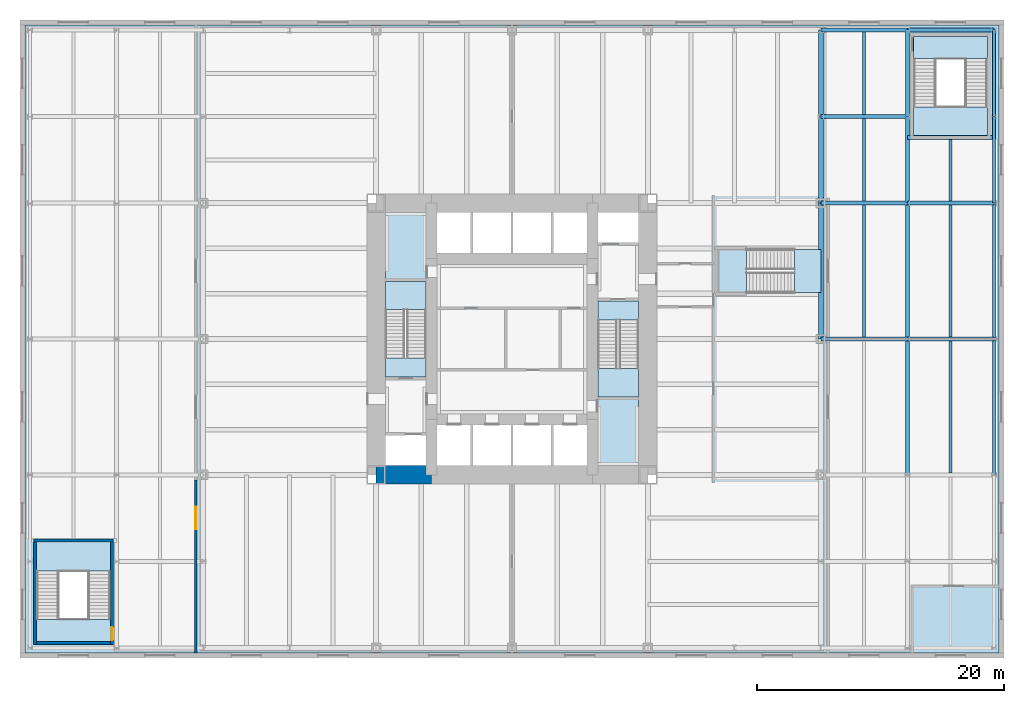
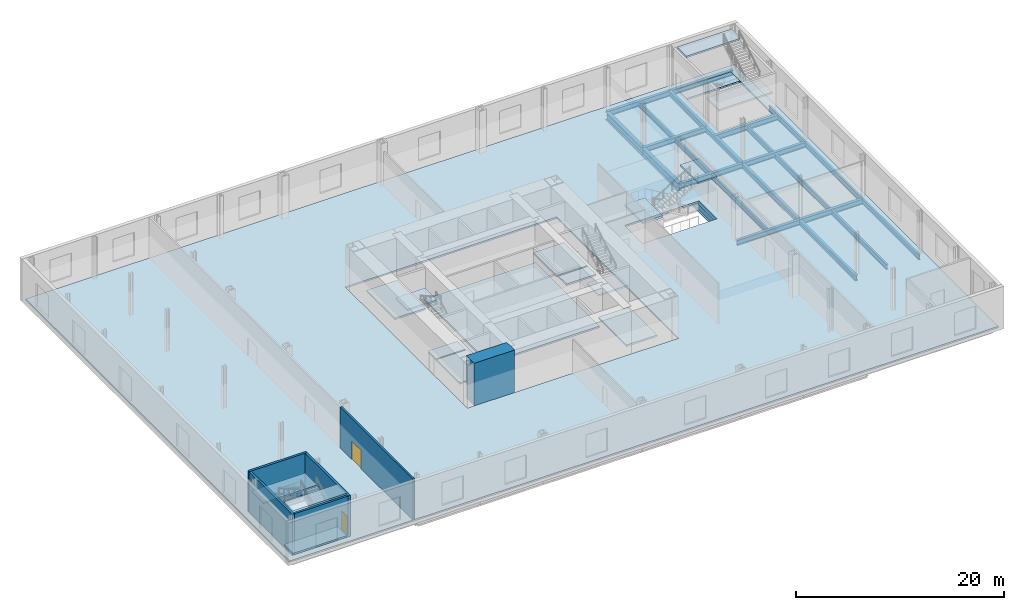
# One storey, part 6 of 13: 25 beams, 18 slabs, 6 walls, 2 doors, 2 openings, 5 elements without a shape of their own.
"""IFC4 building model written with IfcOpenShell, lengths in metres."""

import ifcopenshell
import ifcopenshell.guid

model = None  # the IFC model being written
_history = None  # IfcOwnerHistory: only IFC2X3 demands one
_inside = {}  # id of a spatial element -> (the spatial element, [elements in it])
_under = {}  # id of a project, library or spatial element -> (it, [spatial elements below it])
_declared = {}  # id of a project -> (the project, [libraries it declares])
_typed = {}  # id of a type object -> (the type object, [elements of that type])
_made_of = {}  # id of a material, layer set ... -> (it, [elements and type objects made of it])


def new_model(schema):
    """Start an empty IFC model of exactly this schema.

    Asked for "IFC4X3", IfcOpenShell would pick the latest addendum, in which some entities
    have other attributes; the version numbers below select the first issue.
    IFC2X3 requires an IfcOwnerHistory on every rooted entity: one is made here for all.
    """
    global model, _history
    if schema == "IFC4X3":
        model = ifcopenshell.file(schema_version=(4, 3, 0, 0))
    else:
        model = ifcopenshell.file(schema=schema)
    _inside.clear()
    _under.clear()
    _declared.clear()
    _typed.clear()
    _made_of.clear()
    _history = None
    if model.schema == "IFC2X3":
        org = make("IfcOrganization", Name="unknown")
        user = make(
            "IfcPersonAndOrganization",
            ThePerson=make("IfcPerson", FamilyName="unknown"),
            TheOrganization=org,
        )
        app = make(
            "IfcApplication",
            ApplicationDeveloper=org,
            Version="unknown",
            ApplicationFullName="unknown",
            ApplicationIdentifier="unknown",
        )
        _history = make(
            "IfcOwnerHistory",
            OwningUser=user,
            OwningApplication=app,
            ChangeAction="ADDED",
            CreationDate=0,
        )
    return model


def make(cls, **values):
    """One entity of the class cls with the attributes given. An attribute that is None is left unset."""
    return model.create_entity(
        cls, **{name: value for name, value in values.items() if value is not None}
    )


def rooted(cls, **values):
    """An entity with a GlobalId (a new one), such as an element, a storey or a relation."""
    return make(cls, GlobalId=ifcopenshell.guid.new(), OwnerHistory=_history, **values)


def si_unit(unit_type, name, prefix=None):
    """IfcSIUnit, for example si_unit("LENGTHUNIT", "METRE", prefix="MILLI")."""
    return make("IfcSIUnit", UnitType=unit_type, Prefix=prefix, Name=name)


def assignment(units):
    """IfcUnitAssignment: the units of a project."""
    return None if units is None else make("IfcUnitAssignment", Units=units)


def point(xyz):
    """IfcCartesianPoint."""
    return None if xyz is None else make("IfcCartesianPoint", Coordinates=xyz)


def direction(xyz):
    """IfcDirection."""
    return None if xyz is None else make("IfcDirection", DirectionRatios=xyz)


def frame(location, z_axis=None, x_axis=None):
    """IfcAxis2Placement3D, a coordinate frame: its origin and axes. An axis left out is left unset."""
    return make(
        "IfcAxis2Placement3D",
        Location=point(location),
        Axis=direction(z_axis),
        RefDirection=direction(x_axis),
    )


def frame_2d(location, x_axis=None):
    """IfcAxis2Placement2D, a coordinate frame in the plane: its origin and x axis."""
    return make(
        "IfcAxis2Placement2D", Location=point(location), RefDirection=direction(x_axis)
    )


def origin():
    """The frame at (0, 0, 0) with its axes left unset."""
    return frame((0.0, 0.0, 0.0))


def origin_2d():
    """The frame at (0, 0) in the plane with its x axis left unset."""
    return frame_2d((0.0, 0.0))


def place(relative_to, where):
    """IfcLocalPlacement: puts the frame where relative to a parent placement (None: the world)."""
    return make(
        "IfcLocalPlacement", PlacementRelTo=relative_to, RelativePlacement=where
    )


def context(
    kind, dimensions, precision=None, world=None, true_north=None, identifier=None
):
    """IfcGeometricRepresentationContext, for example the 3D "Model" context."""
    return make(
        "IfcGeometricRepresentationContext",
        ContextIdentifier=identifier,
        ContextType=kind,
        CoordinateSpaceDimension=dimensions,
        Precision=precision,
        WorldCoordinateSystem=world,
        TrueNorth=true_north,
    )


def subcontext(parent, identifier, kind, view, scale=None):
    """IfcGeometricRepresentationSubContext, for example "Body" below "Model"."""
    return make(
        "IfcGeometricRepresentationSubContext",
        ContextIdentifier=identifier,
        ContextType=kind,
        ParentContext=parent,
        TargetScale=scale,
        TargetView=view,
    )


def project(units=None, contexts=None):
    """IfcProject with its units and contexts."""
    return rooted(
        "IfcProject",
        Name="project",
        RepresentationContexts=contexts,
        UnitsInContext=assignment(units),
    )


def spatial(cls, under=None, at=None, **own):
    """A site, building, storey or space (cls), placed at a placement, below another one or the project."""
    s = rooted(cls, ObjectPlacement=at, **own)
    if under is not None:
        _under.setdefault(under.id(), (under, []))[1].append(s)
    return s


def polyline(points):
    """IfcPolyline through the points."""
    return make("IfcPolyline", Points=[point(p) for p in points])


def profile(cls, at=None, kind="AREA", **sizes):
    """A parametric profile (cls). Its sizes go by their IFC names, for example OverallWidth=200.0."""
    return make(cls, ProfileType=kind, Position=at, **sizes)


def rectangle(**sizes):
    """IfcRectangleProfileDef."""
    return profile("IfcRectangleProfileDef", **sizes)


def i_section(**sizes):
    """IfcIShapeProfileDef."""
    return profile("IfcIShapeProfileDef", **sizes)


def outline(outer, holes=None, kind="AREA"):
    """IfcArbitraryClosedProfileDef: a profile drawn as a closed curve; with holes, ...WithVoids."""
    if holes is None:
        return make("IfcArbitraryClosedProfileDef", ProfileType=kind, OuterCurve=outer)
    return make(
        "IfcArbitraryProfileDefWithVoids",
        ProfileType=kind,
        OuterCurve=outer,
        InnerCurves=holes,
    )


def extrude(swept, where, along, depth):
    """IfcExtrudedAreaSolid: the profile swept, set in the frame where, extruded along a direction by depth."""
    return make(
        "IfcExtrudedAreaSolid",
        SweptArea=swept,
        Position=where,
        ExtrudedDirection=direction(along),
        Depth=depth,
    )


def shape(context_of_items, identifier, shape_type, items):
    """IfcShapeRepresentation: the items that make up one representation, for example the "Body"."""
    return make(
        "IfcShapeRepresentation",
        ContextOfItems=context_of_items,
        RepresentationIdentifier=identifier,
        RepresentationType=shape_type,
        Items=items,
    )


def material(Name=None, Category=None):
    """IfcMaterial."""
    return make("IfcMaterial", Name=Name, Category=Category)


def layer(
    of_material, thickness, ventilated=None, Name=None, Category=None, Priority=None
):
    """IfcMaterialLayer: one layer of a wall or slab, of a material (None: an air gap)."""
    return make(
        "IfcMaterialLayer",
        Material=of_material,
        LayerThickness=thickness,
        IsVentilated=ventilated,
        Name=Name,
        Category=Category,
        Priority=Priority,
    )


def layer_set(layers, Name=None):
    """IfcMaterialLayerSet."""
    return make("IfcMaterialLayerSet", MaterialLayers=layers, LayerSetName=Name)


def material_profile(
    of_material, cross_section, Name=None, Category=None, Priority=None
):
    """IfcMaterialProfile: a cross section and its material."""
    return make(
        "IfcMaterialProfile",
        Name=Name,
        Material=of_material,
        Profile=cross_section,
        Priority=Priority,
        Category=Category,
    )


def profile_set(profiles, Name=None, composite=None):
    """IfcMaterialProfileSet."""
    return make(
        "IfcMaterialProfileSet",
        Name=Name,
        MaterialProfiles=profiles,
        CompositeProfile=composite,
    )


def made_of(thing, what):
    """Note that an element or type object is made of a material, layer set ...; save() writes the relation."""
    if what is not None:
        _made_of.setdefault(what.id(), (what, []))[1].append(thing)
    return thing


def type_object(cls, material=None, **own):
    """A type object (cls), such as IfcWallType, which elements share."""
    return made_of(rooted(cls, **own), material)


def element(
    cls,
    number,
    at=None,
    inside=None,
    cuts=None,
    type_object=None,
    material=None,
    context=None,
    identifier="Body",
    shape_type=None,
    held_by="IfcProductDefinitionShape",
    body=None,
    shapes=None,
    **own,
):
    """One element of the class cls, such as IfcWall. Its Tag is "e" and its number.

    at: its placement. inside: the storey or other place that contains it. cuts: it is an
    opening in that element (IfcRelVoidsElement). A single representation is given by context,
    identifier, shape_type and body (its items); several are given by shapes. held_by: the class
    of the entity that holds the representations. save() writes the other relations.
    """
    e = rooted(cls, Tag="e%d" % number, ObjectPlacement=at, **own)
    if body is not None:
        shapes = [shape(context, identifier, shape_type, body)]
    if shapes is not None:
        e.Representation = make(held_by, Representations=shapes)
    if inside is not None:
        _inside.setdefault(inside.id(), (inside, []))[1].append(e)
    if cuts is not None:
        rooted(
            "IfcRelVoidsElement", RelatingBuildingElement=cuts, RelatedOpeningElement=e
        )
    if type_object is not None:
        _typed.setdefault(type_object.id(), (type_object, []))[1].append(e)
    return made_of(e, material)


def fill(opening, filler):
    """IfcRelFillsElement: the door or window that sits in an opening."""
    return rooted(
        "IfcRelFillsElement",
        RelatingOpeningElement=opening,
        RelatedBuildingElement=filler,
    )


def aggregate(whole, parts):
    """IfcRelAggregates: a whole, such as a stair, and the parts it consists of."""
    return rooted("IfcRelAggregates", RelatingObject=whole, RelatedObjects=parts)


def save(model, path):
    """Write the relations noted so far, then the file.

    IfcRelAggregates (storeys below a building ...), IfcRelContainedInSpatialStructure (elements
    in a storey), IfcRelDefinesByType, IfcRelAssociatesMaterial and IfcRelDeclares: one each for
    every whole, place, type object, material and project.
    """
    for whole, parts in _under.values():
        aggregate(whole, parts)
    for where, things in _inside.values():
        rooted(
            "IfcRelContainedInSpatialStructure",
            RelatedElements=things,
            RelatingStructure=where,
        )
    for kind, things in _typed.values():
        rooted("IfcRelDefinesByType", RelatedObjects=things, RelatingType=kind)
    for what, things in _made_of.values():
        rooted("IfcRelAssociatesMaterial", RelatedObjects=things, RelatingMaterial=what)
    for by, libraries in _declared.values():
        rooted("IfcRelDeclares", RelatingContext=by, RelatedDefinitions=libraries)
    model.write(path)


model = new_model("IFC4")

# Units and contexts
model_context = context("Model", 3, precision=1e-05, world=origin(), true_north=direction((0.0, 1.0)))
body_context = subcontext(model_context, "Body", "Model", "MODEL_VIEW")
ifc_project = project(units=[si_unit("LENGTHUNIT", "METRE"), si_unit("AREAUNIT", "SQUARE_METRE"), si_unit("VOLUMEUNIT", "CUBIC_METRE"), si_unit("PLANEANGLEUNIT", "RADIAN"), si_unit("MASSUNIT", "GRAM", prefix="KILO")], contexts=[model_context])

# Site, building, storey
site_placement = place(None, origin())
site = spatial("IfcSite", under=ifc_project, at=site_placement, CompositionType="ELEMENT")
building_placement = place(site_placement, origin())
building = spatial("IfcBuilding", under=site, at=building_placement, Name="Trevanion Tower", CompositionType="ELEMENT")
storey_placement = place(building_placement, frame((0.0, 0.0, 6.0)))
storey = spatial("IfcBuildingStorey", under=building, at=storey_placement, Name="L01", CompositionType="ELEMENT", Elevation=6.0)

# Beams
ifc_material_1 = material(Name="Steel ASTM A992 Grade 50", Category="steel")
ifc_material_profile_1 = material_profile(ifc_material_1, i_section(OverallWidth=0.419189453125, OverallDepth=0.927001953125, WebThickness=0.019287109375, FlangeThickness=0.031982421875, at=origin_2d()), Name="W36X231")
ifc_profile_set_1 = profile_set([ifc_material_profile_1], Name="Steel ASTM A992 Grade 50")
beam_type_1 = type_object("IfcBeamType", Name="SB1 W36X231", PredefinedType="SPANDREL", material=ifc_profile_set_1)
beam_1_placement = place(storey_placement, frame((25.0, 0.0, -0.653564453125), z_axis=(0.0, 1.0, 0.0), x_axis=(-1.0, 0.0, 0.0)))
element("IfcBeam", 1, at=beam_1_placement, inside=storey, type_object=beam_type_1, Name="SB1 L01", PredefinedType="SPANDREL", context=body_context, shape_type="SweptSolid", body=[
    extrude(i_section(OverallWidth=0.419189453125, OverallDepth=0.927001953125, WebThickness=0.019287109375, FlangeThickness=0.031982421875, at=origin_2d()), origin(), (0.0, 0.0, 1.0), 11.0),
])
for number, where, z_axis, x_axis, name in (
    (2, (25.0, 11.0, -0.653564453125), (0.0, 1.0, 0.0), (-1.0, 0.0, 0.0), "SB1 L01"),
    (3, (25.0, 18.0, -0.653564453125), (0.0, 1.0, 0.0), (-1.0, 0.0, 0.0), "SB1 L01"),
):
    element("IfcBeam", number, at=place(storey_placement, frame(where, z_axis=z_axis, x_axis=x_axis)), inside=storey, type_object=beam_type_1, Name=name, PredefinedType="SPANDREL", context=body_context, shape_type="SweptSolid", body=[
        extrude(i_section(OverallWidth=0.419189453125, OverallDepth=0.927001953125, WebThickness=0.019287109375, FlangeThickness=0.031982421875, at=origin_2d()), origin(), (0.0, 0.0, 1.0), 7.0),
    ])
ifc_material_2 = material(Name="Steel ASTM A992 Grade 50", Category="steel")
ifc_material_profile_2 = material_profile(ifc_material_2, i_section(OverallWidth=0.228271484375, OverallDepth=0.607177734375, WebThickness=0.01123046875, FlangeThickness=0.017333984375, at=origin_2d()), Name="W24X76")
ifc_profile_set_2 = profile_set([ifc_material_profile_2], Name="Steel ASTM A992 Grade 50")
beam_type_2 = type_object("IfcBeamType", Name="WB1 W24X76", PredefinedType="BEAM", material=ifc_profile_set_2)
beam_2_placement = place(storey_placement, frame((28.5, 0.16259765625, -0.493408203125), z_axis=(0.0, 1.0, 0.0), x_axis=(-1.0, 0.0, 0.0)))
element("IfcBeam", 4, at=beam_2_placement, inside=storey, type_object=beam_type_2, Name="WB1 L01", PredefinedType="BEAM", context=body_context, shape_type="SweptSolid", body=[
    extrude(i_section(OverallWidth=0.228271484375, OverallDepth=0.607177734375, WebThickness=0.01123046875, FlangeThickness=0.017333984375, at=origin_2d()), origin(), (0.0, 0.0, 1.0), 10.6748046875),
])
for number, where, z_axis, x_axis, name in (
    (5, (28.5, 11.16259765625, -0.493408203125), (0.0, 1.0, 0.0), (-1.0, 0.0, 0.0), "WB1 L01"),
    (6, (28.5, 18.16259765625, -0.493408203125), (0.0, 1.0, 0.0), (-1.0, 0.0, 0.0), "WB1 L01"),
):
    element("IfcBeam", number, at=place(storey_placement, frame(where, z_axis=z_axis, x_axis=x_axis)), inside=storey, type_object=beam_type_2, Name=name, PredefinedType="BEAM", context=body_context, shape_type="SweptSolid", body=[
        extrude(i_section(OverallWidth=0.228271484375, OverallDepth=0.607177734375, WebThickness=0.01123046875, FlangeThickness=0.017333984375, at=origin_2d()), origin(), (0.0, 0.0, 1.0), 6.6748046875),
    ])
for number, where, z_axis, x_axis, name in (
    (7, (35.5, -10.83740234375, -0.493408203125), (0.0, 1.0, 0.0), (-1.0, 0.0, 0.0), "WB1 L01"),
    (8, (35.5, 0.16259765625, -0.493408203125), (0.0, 1.0, 0.0), (-1.0, 0.0, 0.0), "WB1 L01"),
):
    element("IfcBeam", number, at=place(storey_placement, frame(where, z_axis=z_axis, x_axis=x_axis)), inside=storey, type_object=beam_type_2, Name=name, PredefinedType="BEAM", context=body_context, shape_type="SweptSolid", body=[
        extrude(i_section(OverallWidth=0.228271484375, OverallDepth=0.607177734375, WebThickness=0.01123046875, FlangeThickness=0.017333984375, at=origin_2d()), origin(), (0.0, 0.0, 1.0), 10.6748046875),
    ])
beam_3_placement = place(storey_placement, frame((35.5, 11.16259765625, -0.493408203125), z_axis=(0.0, 1.0, 0.0), x_axis=(-1.0, 0.0, 0.0)))
element("IfcBeam", 9, at=beam_3_placement, inside=storey, type_object=beam_type_2, Name="WB1 L01", PredefinedType="BEAM", context=body_context, shape_type="SweptSolid", body=[
    extrude(i_section(OverallWidth=0.228271484375, OverallDepth=0.607177734375, WebThickness=0.01123046875, FlangeThickness=0.017333984375, at=origin_2d()), origin(), (0.0, 0.0, 1.0), 4.98974609375),
])
ifc_material_3 = material(Name="Steel ASTM A992 Grade 50", Category="steel")
ifc_material_profile_3 = material_profile(ifc_material_3, i_section(OverallWidth=0.227783203125, OverallDepth=0.60205078125, WebThickness=0.010498046875, FlangeThickness=0.014892578125, at=origin_2d()), Name="W24X68")
ifc_profile_set_3 = profile_set([ifc_material_profile_3], Name="Steel ASTM A992 Grade 50")
beam_type_3 = type_object("IfcBeamType", Name="WE1 W24X68", PredefinedType="SPANDREL", material=ifc_profile_set_3)
for number, where, z_axis, x_axis, name in (
    (10, (39.0, -11.0, -0.490966796875), (0.0, 1.0, 0.0), (-1.0, 0.0, 0.0), "WE1 L01"),
    (11, (39.0, 0.0, -0.490966796875), (0.0, 1.0, 0.0), (-1.0, 0.0, 0.0), "WE1 L01"),
):
    element("IfcBeam", number, at=place(storey_placement, frame(where, z_axis=z_axis, x_axis=x_axis)), inside=storey, type_object=beam_type_3, Name=name, PredefinedType="SPANDREL", context=body_context, shape_type="SweptSolid", body=[
        extrude(i_section(OverallWidth=0.227783203125, OverallDepth=0.60205078125, WebThickness=0.010498046875, FlangeThickness=0.014892578125, at=origin_2d()), origin(), (0.0, 0.0, 1.0), 11.0),
    ])
for number, where, z_axis, x_axis, name in (
    (12, (39.0, 11.0, -0.490966796875), (0.0, 1.0, 0.0), (-1.0, 0.0, 0.0), "WE1 L01"),
    (13, (39.0, 18.0, -0.490966796875), (0.0, 1.0, 0.0), (-1.0, 0.0, 0.0), "WE1 L01"),
):
    element("IfcBeam", number, at=place(storey_placement, frame(where, z_axis=z_axis, x_axis=x_axis)), inside=storey, type_object=beam_type_3, Name=name, PredefinedType="SPANDREL", context=body_context, shape_type="SweptSolid", body=[
        extrude(i_section(OverallWidth=0.227783203125, OverallDepth=0.60205078125, WebThickness=0.010498046875, FlangeThickness=0.014892578125, at=origin_2d()), origin(), (0.0, 0.0, 1.0), 7.0),
    ])
ifc_material_4 = material(Name="Steel ASTM A992 Grade 50", Category="steel")
ifc_material_profile_4 = material_profile(ifc_material_4, i_section(OverallWidth=0.3251953125, OverallDepth=0.612060546875, WebThickness=0.0126953125, FlangeThickness=0.01904296875, at=origin_2d()), Name="W24X104")
ifc_profile_set_4 = profile_set([ifc_material_profile_4], Name="Steel ASTM A992 Grade 50")
beam_type_4 = type_object("IfcBeamType", Name="WG1 W24X104", PredefinedType="BEAM", material=ifc_profile_set_4)
for number, where, z_axis, x_axis, name in (
    (14, (25.0, 0.0, -0.49609375), (1.0, 0.0, 0.0), (0.0, 1.0, 0.0), "WG1 L01"),
    (15, (32.0, 0.0, -0.49609375), (1.0, 0.0, 0.0), (0.0, 1.0, 0.0), "WG1 L01"),
    (16, (25.0, 11.0, -0.49609375), (1.0, 0.0, 0.0), (0.0, 1.0, 0.0), "WG1 L01"),
    (17, (32.0, 11.0, -0.49609375), (1.0, 0.0, 0.0), (0.0, 1.0, 0.0), "WG1 L01"),
    (18, (25.0, 18.0, -0.49609375), (1.0, 0.0, 0.0), (0.0, 1.0, 0.0), "WG1 L01"),
    (19, (25.0, 25.0, -0.49609375), (1.0, 0.0, 0.0), (0.0, 1.0, 0.0), "WG1 L01"),
    (20, (32.0, 25.0, -0.49609375), (1.0, 0.0, 0.0), (0.0, 1.0, 0.0), "WG1 L01"),
    (21, (32.0, 16.31494140625, -0.49609375), (1.0, 0.0, 0.0), (0.0, 1.0, 0.0), "WG1 L01"),
):
    element("IfcBeam", number, at=place(storey_placement, frame(where, z_axis=z_axis, x_axis=x_axis)), inside=storey, type_object=beam_type_4, Name=name, PredefinedType="BEAM", context=body_context, shape_type="SweptSolid", body=[
        extrude(i_section(OverallWidth=0.3251953125, OverallDepth=0.612060546875, WebThickness=0.0126953125, FlangeThickness=0.01904296875, at=origin_2d()), origin(), (0.0, 0.0, 1.0), 7.0),
    ])
for number, where, z_axis, x_axis, name in (
    (22, (32.0, -11.0, -0.49609375), (0.0, 1.0, 0.0), (-1.0, 0.0, 0.0), "WG1 L01"),
    (23, (32.0, 0.0, -0.49609375), (0.0, 1.0, 0.0), (-1.0, 0.0, 0.0), "WG1 L01"),
):
    element("IfcBeam", number, at=place(storey_placement, frame(where, z_axis=z_axis, x_axis=x_axis)), inside=storey, type_object=beam_type_4, Name=name, PredefinedType="BEAM", context=body_context, shape_type="SweptSolid", body=[
        extrude(i_section(OverallWidth=0.3251953125, OverallDepth=0.612060546875, WebThickness=0.0126953125, FlangeThickness=0.01904296875, at=origin_2d()), origin(), (0.0, 0.0, 1.0), 11.0),
    ])
for number, where, z_axis, x_axis, name in (
    (24, (32.0, 11.0, -0.49609375), (0.0, 1.0, 0.0), (-1.0, 0.0, 0.0), "WG1 L01"),
    (25, (32.0, 18.0, -0.49609375), (0.0, 1.0, 0.0), (-1.0, 0.0, 0.0), "WG1 L01"),
):
    element("IfcBeam", number, at=place(storey_placement, frame(where, z_axis=z_axis, x_axis=x_axis)), inside=storey, type_object=beam_type_4, Name=name, PredefinedType="BEAM", context=body_context, shape_type="SweptSolid", body=[
        extrude(i_section(OverallWidth=0.3251953125, OverallDepth=0.612060546875, WebThickness=0.0126953125, FlangeThickness=0.01904296875, at=origin_2d()), origin(), (0.0, 0.0, 1.0), 7.0),
    ])

# Stair, slabs
ifc_material_5 = material(Name="Concrete 5,000 psi", Category="concrete")
stair_type_1 = type_object("IfcStairType", Name="GS grand stair", PredefinedType="HALF_TURN_STAIR", material=ifc_material_5)
stair_1_placement = place(storey_placement, origin())
stair_1 = element("IfcStair", 26, at=stair_1_placement, inside=storey, type_object=stair_type_1, Name="GS2 L01", PredefinedType="HALF_TURN_STAIR")
ifc_material_6 = material(Name="Concrete 5,000 psi", Category="concrete")
ifc_layer_1 = layer(ifc_material_6, 0.25)
ifc_layer_set_1 = layer_set([ifc_layer_1], Name="GSL grand stair landing 250")
slab_type_1 = type_object("IfcSlabType", Name="GSL grand stair landing 250", PredefinedType="LANDING", material=ifc_layer_set_1)
slab_1_placement = place(storey_placement, frame((0.0, 0.0, 2.25)))
slab_1 = element("IfcSlab", 27, at=slab_1_placement, type_object=slab_type_1, Name="GS2 landing 1", PredefinedType="LANDING", context=body_context, shape_type="SweptSolid", body=[
    extrude(outline(polyline([(16.699951171875, 3.77001953125), (18.9599609375, 3.77001953125), (18.9599609375, 7.22998046875), (16.699951171875, 7.22998046875), (16.699951171875, 3.77001953125)])), origin(), (0.0, 0.0, 1.0), 0.25),
])
ifc_material_7 = material(Name="Terrazzo on composite slab", Category="concrete")
ifc_layer_2 = layer(ifc_material_7, 0.18994140625)
ifc_layer_set_2 = layer_set([ifc_layer_2], Name="GST grand stair top landing 190")
slab_type_2 = type_object("IfcSlabType", Name="GST grand stair top landing 190", PredefinedType="LANDING", material=ifc_layer_set_2)
slab_2_placement = place(storey_placement, frame((0.0, 0.0, 4.81005859375)))
slab_2 = element("IfcSlab", 28, at=slab_2_placement, type_object=slab_type_2, Name="GS2 top landing", PredefinedType="LANDING", context=body_context, shape_type="SweptSolid", body=[
    extrude(outline(polyline([(22.8798828125, 3.77001953125), (25.0, 3.77001953125), (25.0, 7.22998046875), (22.8798828125, 7.22998046875), (22.8798828125, 3.77001953125)])), origin(), (0.0, 0.0, 1.0), 0.18994140625),
])
aggregate(stair_1, [slab_1, slab_2])

# Slabs
ifc_material_8 = material(Name="Concrete 5,000 psi on composite metal deck", Category="concrete")
ifc_layer_3 = layer(ifc_material_8, 0.18994140625)
ifc_layer_set_3 = layer_set([ifc_layer_3], Name="SL1 composite floor 190")
slab_type_3 = type_object("IfcSlabType", Name="SL1 composite floor 190", PredefinedType="FLOOR", material=ifc_layer_set_3)
slab_3_placement = place(storey_placement, frame((0.0, 0.0, -0.18994140625)))
element("IfcSlab", 29, at=slab_3_placement, inside=storey, type_object=slab_type_3, Name="SL1 L01 floor", PredefinedType="FLOOR", context=body_context, shape_type="SweptSolid", body=[
    extrude(outline(polyline([(39.419921875, -25.419921875), (39.419921875, 25.419921875), (-39.419921875, 25.419921875), (-39.419921875, -25.419921875), (39.419921875, -25.419921875)]), holes=[polyline([(11.75, -11.75), (11.75, 11.75), (-11.75, 11.75), (-11.75, -11.75), (11.75, -11.75)]), polyline([(32.5, 16.43994140625), (38.47509765625, 16.43994140625), (38.47509765625, 24.489990234375), (32.5, 24.489990234375), (32.5, 16.43994140625)]), polyline([(-32.5, -16.43994140625), (-38.47509765625, -16.43994140625), (-38.47509765625, -24.489990234375), (-32.5, -24.489990234375), (-32.5, -16.43994140625)]), polyline([(16.699951171875, 3.77001953125), (25.0, 3.77001953125), (25.0, 7.22998046875), (16.699951171875, 7.22998046875), (16.699951171875, 3.77001953125)])]), origin(), (0.0, 0.0, 1.0), 0.18994140625),
])
ifc_material_9 = material(Name="Concrete 5,000 psi", Category="concrete")
ifc_layer_4 = layer(ifc_material_9, 0.199951171875)
ifc_layer_set_4 = layer_set([ifc_layer_4], Name="SL2 core floor 200")
slab_type_4 = type_object("IfcSlabType", Name="SL2 core floor 200", PredefinedType="FLOOR", material=ifc_layer_set_4)
slab_4_placement = place(storey_placement, frame((0.0, 0.0, -0.199951171875)))
element("IfcSlab", 30, at=slab_4_placement, inside=storey, type_object=slab_type_4, Name="SL2 L01 core floor 1", PredefinedType="FLOOR", context=body_context, shape_type="SweptSolid", body=[
    extrude(outline(polyline([(10.25, -4.804931640625), (10.25, -10.25), (6.830078125, -10.25), (6.830078125, -4.804931640625), (10.25, -4.804931640625)])), origin(), (0.0, 0.0, 1.0), 0.199951171875),
])
slab_5_placement = place(storey_placement, frame((0.0, 0.0, -0.199951171875)))
element("IfcSlab", 31, at=slab_5_placement, inside=storey, type_object=slab_type_4, Name="SL2 L01 core floor 2", PredefinedType="FLOOR", context=body_context, shape_type="SweptSolid", body=[
    extrude(outline(polyline([(-6.830078125, -3.205078125), (-6.830078125, -7.695068359375), (-10.25, -7.695068359375), (-10.25, -3.205078125), (-6.830078125, -3.205078125)])), origin(), (0.0, 0.0, 1.0), 0.199951171875),
])
slab_6_placement = place(storey_placement, frame((0.0, 0.0, -0.199951171875)))
element("IfcSlab", 32, at=slab_6_placement, inside=storey, type_object=slab_type_4, Name="SL2 L01 core floor 3", PredefinedType="FLOOR", context=body_context, shape_type="SweptSolid", body=[
    extrude(outline(polyline([(6.169921875, -6.169921875), (-6.169921875, -6.169921875), (-6.169921875, 6.169921875), (6.169921875, 6.169921875), (6.169921875, -6.169921875)])), origin(), (0.0, 0.0, 1.0), 0.199951171875),
])
slab_7_placement = place(storey_placement, frame((0.0, 0.0, -0.199951171875)))
element("IfcSlab", 33, at=slab_7_placement, inside=storey, type_object=slab_type_4, Name="SL2 L01 core floor 4", PredefinedType="FLOOR", context=body_context, shape_type="SweptSolid", body=[
    extrude(outline(polyline([(6.830078125, 3.205078125), (6.830078125, 7.695068359375), (10.25, 7.695068359375), (10.25, 3.205078125), (6.830078125, 3.205078125)])), origin(), (0.0, 0.0, 1.0), 0.199951171875),
])
slab_8_placement = place(storey_placement, frame((0.0, 0.0, -0.199951171875)))
element("IfcSlab", 34, at=slab_8_placement, inside=storey, type_object=slab_type_4, Name="SL2 L01 core floor 5", PredefinedType="FLOOR", context=body_context, shape_type="SweptSolid", body=[
    extrude(outline(polyline([(-6.830078125, 4.804931640625), (-10.25, 4.804931640625), (-10.25, 10.25), (-6.830078125, 10.25), (-6.830078125, 4.804931640625)])), origin(), (0.0, 0.0, 1.0), 0.199951171875),
])

# Stair, slabs
ifc_material_10 = material(Name="Concrete 5,000 psi on steel stringers", Category="concrete")
stair_type_2 = type_object("IfcStairType", Name="ST stair", PredefinedType="HALF_TURN_STAIR", material=ifc_material_10)
stair_2_placement = place(storey_placement, origin())
stair_2 = element("IfcStair", 35, at=stair_2_placement, inside=storey, type_object=stair_type_2, Name="ST1 L01", PredefinedType="HALF_TURN_STAIR")
ifc_material_11 = material(Name="Concrete 5,000 psi in steel pan", Category="concrete")
ifc_layer_5 = layer(ifc_material_11, 0.199951171875)
ifc_layer_set_5 = layer_set([ifc_layer_5], Name="STL stair landing 200")
slab_type_5 = type_object("IfcSlabType", Name="STL stair landing 200", PredefinedType="LANDING", material=ifc_layer_set_5)
slab_9_placement = place(storey_placement, frame((0.0, 0.0, -0.199951171875)))
slab_9 = element("IfcSlab", 36, at=slab_9_placement, type_object=slab_type_5, Name="ST1 landing 1", PredefinedType="LANDING", context=body_context, shape_type="SweptSolid", body=[
    extrude(outline(polyline([(6.949951171875, 1.52490234375), (10.25, 1.52490234375), (10.25, 3.074951171875), (6.949951171875, 3.074951171875), (6.949951171875, 1.52490234375)])), origin(), (0.0, 0.0, 1.0), 0.199951171875),
])
slab_10_placement = place(storey_placement, frame((0.0, 0.0, 2.300048828125)))
slab_10 = element("IfcSlab", 37, at=slab_10_placement, type_object=slab_type_5, Name="ST1 landing 2", PredefinedType="LANDING", context=body_context, shape_type="SweptSolid", body=[
    extrude(outline(polyline([(6.949951171875, -4.675048828125), (10.25, -4.675048828125), (10.25, -2.39501953125), (6.949951171875, -2.39501953125), (6.949951171875, -4.675048828125)])), origin(), (0.0, 0.0, 1.0), 0.199951171875),
])
aggregate(stair_2, [slab_9, slab_10])

stair_3_placement = place(storey_placement, origin())
stair_3 = element("IfcStair", 38, at=stair_3_placement, inside=storey, type_object=stair_type_2, Name="ST2 L01", PredefinedType="HALF_TURN_STAIR")
slab_11_placement = place(storey_placement, frame((0.0, 0.0, -0.199951171875)))
slab_11 = element("IfcSlab", 39, at=slab_11_placement, type_object=slab_type_5, Name="ST2 landing 1", PredefinedType="LANDING", context=body_context, shape_type="SweptSolid", body=[
    extrude(outline(polyline([(-6.949951171875, -1.52490234375), (-10.25, -1.52490234375), (-10.25, -3.074951171875), (-6.949951171875, -3.074951171875), (-6.949951171875, -1.52490234375)])), origin(), (0.0, 0.0, 1.0), 0.199951171875),
])
slab_12_placement = place(storey_placement, frame((0.0, 0.0, 2.300048828125)))
slab_12 = element("IfcSlab", 40, at=slab_12_placement, type_object=slab_type_5, Name="ST2 landing 2", PredefinedType="LANDING", context=body_context, shape_type="SweptSolid", body=[
    extrude(outline(polyline([(-6.949951171875, 4.675048828125), (-10.25, 4.675048828125), (-10.25, 2.39501953125), (-6.949951171875, 2.39501953125), (-6.949951171875, 4.675048828125)])), origin(), (0.0, 0.0, 1.0), 0.199951171875),
])
aggregate(stair_3, [slab_11, slab_12])

stair_4_placement = place(storey_placement, origin())
stair_4 = element("IfcStair", 41, at=stair_4_placement, inside=storey, type_object=stair_type_2, Name="ST3 L01", PredefinedType="HALF_TURN_STAIR")
slab_13_placement = place(storey_placement, frame((0.0, 0.0, -0.199951171875)))
slab_13 = element("IfcSlab", 42, at=slab_13_placement, type_object=slab_type_5, Name="ST3 landing 1", PredefinedType="LANDING", context=body_context, shape_type="SweptSolid", body=[
    extrude(outline(polyline([(32.5, 22.705078125), (38.47509765625, 22.705078125), (38.47509765625, 24.489990234375), (32.5, 24.489990234375), (32.5, 22.705078125)])), origin(), (0.0, 0.0, 1.0), 0.199951171875),
])
slab_14_placement = place(storey_placement, frame((0.0, 0.0, 2.300048828125)))
slab_14 = element("IfcSlab", 43, at=slab_14_placement, type_object=slab_type_5, Name="ST3 landing 2", PredefinedType="LANDING", context=body_context, shape_type="SweptSolid", body=[
    extrude(outline(polyline([(32.5, 16.43994140625), (38.47509765625, 16.43994140625), (38.47509765625, 18.784912109375), (32.5, 18.784912109375), (32.5, 16.43994140625)])), origin(), (0.0, 0.0, 1.0), 0.199951171875),
])
slab_15_placement = place(storey_placement, frame((0.0, 0.0, 4.800048828125)))
slab_15 = element("IfcSlab", 44, at=slab_15_placement, type_object=slab_type_5, Name="ST3 landing 3", PredefinedType="LANDING", context=body_context, shape_type="SweptSolid", body=[
    extrude(outline(polyline([(32.5, 22.705078125), (38.47509765625, 22.705078125), (38.47509765625, 24.489990234375), (32.5, 24.489990234375), (32.5, 22.705078125)])), origin(), (0.0, 0.0, 1.0), 0.199951171875),
])
aggregate(stair_4, [slab_13, slab_14, slab_15])

stair_5_placement = place(storey_placement, origin())
stair_5 = element("IfcStair", 45, at=stair_5_placement, inside=storey, type_object=stair_type_2, Name="ST4 L01", PredefinedType="HALF_TURN_STAIR")
slab_16_placement = place(storey_placement, frame((0.0, 0.0, -0.199951171875)))
slab_16 = element("IfcSlab", 46, at=slab_16_placement, type_object=slab_type_5, Name="ST4 landing 1", PredefinedType="LANDING", context=body_context, shape_type="SweptSolid", body=[
    extrude(outline(polyline([(-32.5, -22.705078125), (-38.47509765625, -22.705078125), (-38.47509765625, -24.489990234375), (-32.5, -24.489990234375), (-32.5, -22.705078125)])), origin(), (0.0, 0.0, 1.0), 0.199951171875),
])
slab_17_placement = place(storey_placement, frame((0.0, 0.0, 2.300048828125)))
slab_17 = element("IfcSlab", 47, at=slab_17_placement, type_object=slab_type_5, Name="ST4 landing 2", PredefinedType="LANDING", context=body_context, shape_type="SweptSolid", body=[
    extrude(outline(polyline([(-32.5, -16.43994140625), (-38.47509765625, -16.43994140625), (-38.47509765625, -18.784912109375), (-32.5, -18.784912109375), (-32.5, -16.43994140625)])), origin(), (0.0, 0.0, 1.0), 0.199951171875),
])
slab_18_placement = place(storey_placement, frame((0.0, 0.0, 4.800048828125)))
slab_18 = element("IfcSlab", 48, at=slab_18_placement, type_object=slab_type_5, Name="ST4 landing 3", PredefinedType="LANDING", context=body_context, shape_type="SweptSolid", body=[
    extrude(outline(polyline([(-32.5, -22.705078125), (-38.47509765625, -22.705078125), (-38.47509765625, -24.489990234375), (-32.5, -24.489990234375), (-32.5, -22.705078125)])), origin(), (0.0, 0.0, 1.0), 0.199951171875),
])
aggregate(stair_5, [slab_16, slab_17, slab_18])

# Wall
ifc_material_12 = material(Name="Concrete 10,000 psi", Category="concrete")
ifc_layer_6 = layer(ifc_material_12, 1.5)
ifc_layer_set_6 = layer_set([ifc_layer_6], Name="CW1 core wall 1500")
wall_type_1 = type_object("IfcWallType", Name="CW1 core wall 1500", PredefinedType="SHEAR", material=ifc_layer_set_6)
wall_1_placement = place(storey_placement, frame((-11.0, -11.0, 0.0), z_axis=(0.0, 0.0, 1.0), x_axis=(1.0, 0.0, 0.0)))
element("IfcWall", 49, at=wall_1_placement, inside=storey, type_object=wall_type_1, Name="CW1 CS1 L01", PredefinedType="SHEAR", context=body_context, shape_type="SweptSolid", body=[
    extrude(rectangle(XDim=4.5, YDim=1.5, at=frame_2d((2.25, 0.0))), origin(), (0.0, 0.0, 1.0), 5.0),
])

# Wall, opening, door
ifc_material_13 = material(Name="Concrete masonry, grouted", Category="masonry")
ifc_layer_7 = layer(ifc_material_13, 0.199951171875)
ifc_layer_set_7 = layer_set([ifc_layer_7], Name="PT2 partition 200 1 HR")
wall_type_2 = type_object("IfcWallType", Name="PT2 partition 200 1 HR", PredefinedType="PARTITIONING", material=ifc_layer_set_7)
wall_2_placement = place(storey_placement, frame((-25.60009765625, -11.39990234375, 0.0), z_axis=(0.0, 0.0, 1.0), x_axis=(0.0, -1.0, 0.0)))
wall_2 = element("IfcWall", 50, at=wall_2_placement, inside=storey, type_object=wall_type_2, Name="PT2 L01 WW2", PredefinedType="PARTITIONING", context=body_context, shape_type="SweptSolid", body=[
    extrude(rectangle(XDim=14.010009765625, YDim=0.199951171875, at=frame_2d((7.0048828125, 0.0))), origin(), (0.0, 0.0, 1.0), 4.81005859375),
])
opening_1_placement = place(wall_2_placement, frame((2.18505859375, 0.0, 0.0)))
opening_1 = element("IfcOpeningElement", 51, at=opening_1_placement, cuts=wall_2, Name="Opening 01-030", PredefinedType="OPENING", context=body_context, shape_type="SweptSolid", body=[
    extrude(rectangle(XDim=1.830078125, YDim=2.134033203125, at=frame_2d((0.9150390625, 1.06689453125))), frame((0.0, 0.10986328125, 0.0), z_axis=(0.0, -1.0, 0.0), x_axis=(1.0, 0.0, 0.0)), (0.0, 0.0, 1.0), 0.219970703125),
])
ifc_material_14 = material(Name="Timber veneer, fire rated", Category="wood")
door_type_1 = type_object("IfcDoorType", Name="D8 wing double door", OperationType="DOUBLE_DOOR_DOUBLE_SWING", PredefinedType="DOOR", material=ifc_material_14)
door_1_placement = place(opening_1_placement, origin())
door_1 = element("IfcDoor", 52, at=door_1_placement, inside=storey, type_object=door_type_1, Name="Door 01-030", OperationType="DOUBLE_DOOR_DOUBLE_SWING", OverallHeight=2.134033203125, OverallWidth=1.830078125, PredefinedType="DOOR", context=body_context, shape_type="SweptSolid", body=[
    extrude(rectangle(XDim=1.830078125, YDim=2.134033203125, at=frame_2d((0.9150390625, 1.06689453125))), frame((0.0, 0.02490234375, 0.0), z_axis=(0.0, -1.0, 0.0), x_axis=(1.0, 0.0, 0.0)), (0.0, 0.0, 1.0), 0.050048828125),
])
fill(opening_1, door_1)

ifc_material_15 = material(Name="Reinforced masonry, fully grouted", Category="masonry")
ifc_layer_8 = layer(ifc_material_15, 0.25)
ifc_layer_set_8 = layer_set([ifc_layer_8], Name="SW1 stair shaft wall 250")
wall_type_3 = type_object("IfcWallType", Name="SW1 stair shaft wall 250", PredefinedType="SOLIDWALL", material=ifc_layer_set_8)
wall_3_placement = place(storey_placement, frame((-32.375, -16.31494140625, 0.0), z_axis=(0.0, 0.0, 1.0), x_axis=(0.0, -1.0, 0.0)))
wall_3 = element("IfcWall", 53, at=wall_3_placement, inside=storey, type_object=wall_type_3, Name="SW1 L01 S4A", PredefinedType="SOLIDWALL", context=body_context, shape_type="SweptSolid", body=[
    extrude(rectangle(XDim=8.425048828125, YDim=0.25, at=frame_2d((4.21240234375, 0.0))), origin(), (0.0, 0.0, 1.0), 4.81005859375),
])
opening_2_placement = place(wall_3_placement, frame((7.00146484375, 0.0, 0.0)))
opening_2 = element("IfcOpeningElement", 54, at=opening_2_placement, cuts=wall_3, Name="Opening 01-019", PredefinedType="OPENING", context=body_context, shape_type="SweptSolid", body=[
    extrude(rectangle(XDim=1.06689453125, YDim=2.134033203125, at=frame_2d((0.533447265625, 1.06689453125))), frame((0.0, 0.135009765625, 0.0), z_axis=(0.0, -1.0, 0.0), x_axis=(1.0, 0.0, 0.0)), (0.0, 0.0, 1.0), 0.27001953125),
])
ifc_material_16 = material(Name="Hollow metal, fire rated", Category="steel")
door_type_2 = type_object("IfcDoorType", Name="D2 exit stair door", OperationType="SINGLE_SWING_LEFT", PredefinedType="DOOR", material=ifc_material_16)
door_2_placement = place(opening_2_placement, origin())
door_2 = element("IfcDoor", 55, at=door_2_placement, inside=storey, type_object=door_type_2, Name="Door 01-019", OperationType="SINGLE_SWING_LEFT", OverallHeight=2.134033203125, OverallWidth=1.06689453125, PredefinedType="DOOR", context=body_context, shape_type="SweptSolid", body=[
    extrude(rectangle(XDim=1.06689453125, YDim=2.134033203125, at=frame_2d((0.533447265625, 1.06689453125))), frame((0.0, 0.02490234375, 0.0), z_axis=(0.0, -1.0, 0.0), x_axis=(1.0, 0.0, 0.0)), (0.0, 0.0, 1.0), 0.050048828125),
])
fill(opening_2, door_2)

# Walls
wall_4_placement = place(storey_placement, frame((-32.25, -16.31494140625, 0.0), z_axis=(0.0, 0.0, 1.0), x_axis=(-1.0, 0.0, 0.0)))
element("IfcWall", 56, at=wall_4_placement, inside=storey, type_object=wall_type_3, Name="SW1 L01 S4B", PredefinedType="SOLIDWALL", context=body_context, shape_type="SweptSolid", body=[
    extrude(rectangle(XDim=6.47509765625, YDim=0.25, at=frame_2d((3.237548828125, 0.0))), origin(), (0.0, 0.0, 1.0), 4.81005859375),
])
wall_5_placement = place(storey_placement, frame((-38.60009765625, -16.43994140625, 0.0), z_axis=(0.0, 0.0, 1.0), x_axis=(0.0, -1.0, 0.0)))
element("IfcWall", 57, at=wall_5_placement, inside=storey, type_object=wall_type_3, Name="SW1 L01 S4C", PredefinedType="SOLIDWALL", context=body_context, shape_type="SweptSolid", body=[
    extrude(rectangle(XDim=8.300048828125, YDim=0.25, at=frame_2d((4.14990234375, 0.0))), origin(), (0.0, 0.0, 1.0), 4.81005859375),
])
wall_6_placement = place(storey_placement, frame((-32.5, -24.614990234375, 0.0), z_axis=(0.0, 0.0, 1.0), x_axis=(-1.0, 0.0, 0.0)))
element("IfcWall", 58, at=wall_6_placement, inside=storey, type_object=wall_type_3, Name="SW1 L01 S4D", PredefinedType="SOLIDWALL", context=body_context, shape_type="SweptSolid", body=[
    extrude(rectangle(XDim=5.97509765625, YDim=0.25, at=frame_2d((2.987548828125, 0.0))), origin(), (0.0, 0.0, 1.0), 4.81005859375),
])

save(model, "model.ifc")
